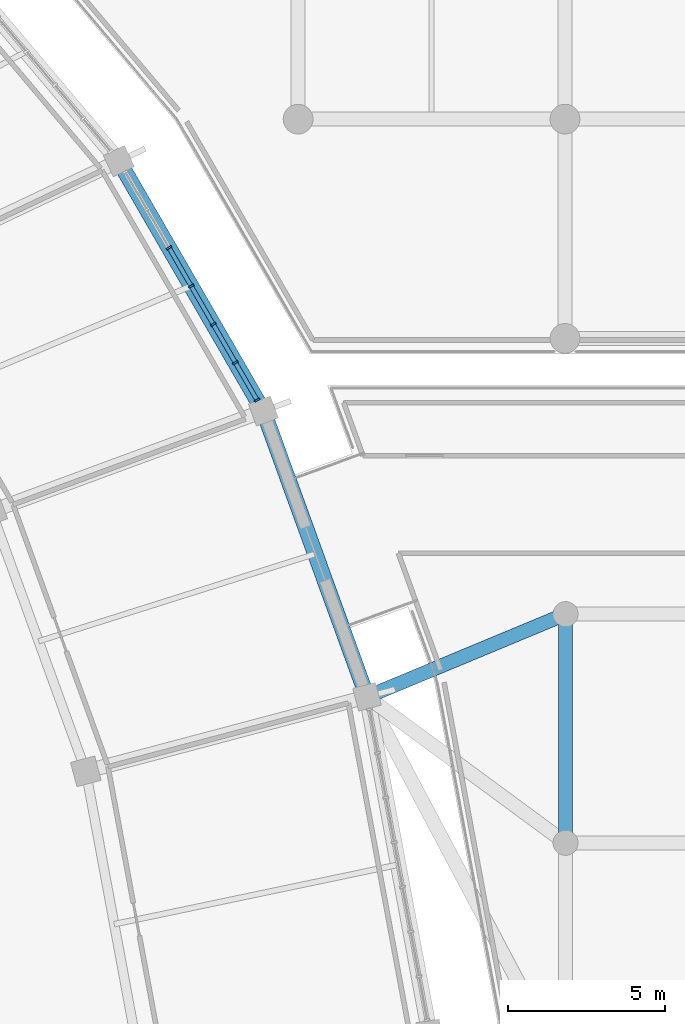
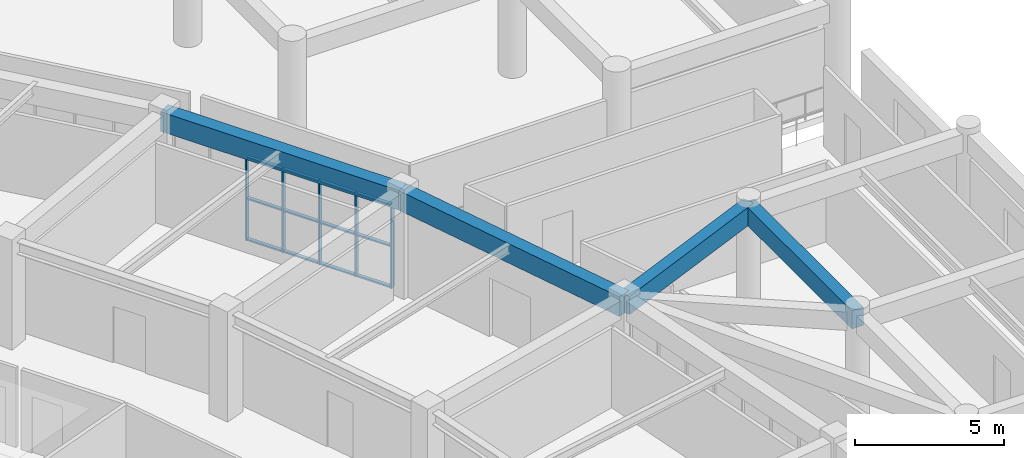
# One storey, part 47 of 141: 17 members, 4 beams, 1 element without a shape of its own.
"""IFC4 building model written with IfcOpenShell, lengths in metres."""

import ifcopenshell
import ifcopenshell.guid

model = None  # the IFC model being written
_history = None  # IfcOwnerHistory: only IFC2X3 demands one
_inside = {}  # id of a spatial element -> (the spatial element, [elements in it])
_under = {}  # id of a project, library or spatial element -> (it, [spatial elements below it])
_declared = {}  # id of a project -> (the project, [libraries it declares])
_typed = {}  # id of a type object -> (the type object, [elements of that type])
_made_of = {}  # id of a material, layer set ... -> (it, [elements and type objects made of it])


def new_model(schema):
    """Start an empty IFC model of exactly this schema.

    Asked for "IFC4X3", IfcOpenShell would pick the latest addendum, in which some entities
    have other attributes; the version numbers below select the first issue.
    IFC2X3 requires an IfcOwnerHistory on every rooted entity: one is made here for all.
    """
    global model, _history
    if schema == "IFC4X3":
        model = ifcopenshell.file(schema_version=(4, 3, 0, 0))
    else:
        model = ifcopenshell.file(schema=schema)
    _inside.clear()
    _under.clear()
    _declared.clear()
    _typed.clear()
    _made_of.clear()
    _history = None
    if model.schema == "IFC2X3":
        org = make("IfcOrganization", Name="unknown")
        user = make(
            "IfcPersonAndOrganization",
            ThePerson=make("IfcPerson", FamilyName="unknown"),
            TheOrganization=org,
        )
        app = make(
            "IfcApplication",
            ApplicationDeveloper=org,
            Version="unknown",
            ApplicationFullName="unknown",
            ApplicationIdentifier="unknown",
        )
        _history = make(
            "IfcOwnerHistory",
            OwningUser=user,
            OwningApplication=app,
            ChangeAction="ADDED",
            CreationDate=0,
        )
    return model


def make(cls, **values):
    """One entity of the class cls with the attributes given. An attribute that is None is left unset."""
    return model.create_entity(
        cls, **{name: value for name, value in values.items() if value is not None}
    )


def rooted(cls, **values):
    """An entity with a GlobalId (a new one), such as an element, a storey or a relation."""
    return make(cls, GlobalId=ifcopenshell.guid.new(), OwnerHistory=_history, **values)


def si_unit(unit_type, name, prefix=None):
    """IfcSIUnit, for example si_unit("LENGTHUNIT", "METRE", prefix="MILLI")."""
    return make("IfcSIUnit", UnitType=unit_type, Prefix=prefix, Name=name)


def assignment(units):
    """IfcUnitAssignment: the units of a project."""
    return None if units is None else make("IfcUnitAssignment", Units=units)


def point(xyz):
    """IfcCartesianPoint."""
    return None if xyz is None else make("IfcCartesianPoint", Coordinates=xyz)


def direction(xyz):
    """IfcDirection."""
    return None if xyz is None else make("IfcDirection", DirectionRatios=xyz)


def frame(location, z_axis=None, x_axis=None):
    """IfcAxis2Placement3D, a coordinate frame: its origin and axes. An axis left out is left unset."""
    return make(
        "IfcAxis2Placement3D",
        Location=point(location),
        Axis=direction(z_axis),
        RefDirection=direction(x_axis),
    )


def frame_2d(location, x_axis=None):
    """IfcAxis2Placement2D, a coordinate frame in the plane: its origin and x axis."""
    return make(
        "IfcAxis2Placement2D", Location=point(location), RefDirection=direction(x_axis)
    )


def origin():
    """The frame at (0, 0, 0) with its axes left unset."""
    return frame((0.0, 0.0, 0.0))


def origin_2d():
    """The frame at (0, 0) in the plane with its x axis left unset."""
    return frame_2d((0.0, 0.0))


def place(relative_to, where):
    """IfcLocalPlacement: puts the frame where relative to a parent placement (None: the world)."""
    return make(
        "IfcLocalPlacement", PlacementRelTo=relative_to, RelativePlacement=where
    )


def context(
    kind, dimensions, precision=None, world=None, true_north=None, identifier=None
):
    """IfcGeometricRepresentationContext, for example the 3D "Model" context."""
    return make(
        "IfcGeometricRepresentationContext",
        ContextIdentifier=identifier,
        ContextType=kind,
        CoordinateSpaceDimension=dimensions,
        Precision=precision,
        WorldCoordinateSystem=world,
        TrueNorth=true_north,
    )


def subcontext(parent, identifier, kind, view, scale=None):
    """IfcGeometricRepresentationSubContext, for example "Body" below "Model"."""
    return make(
        "IfcGeometricRepresentationSubContext",
        ContextIdentifier=identifier,
        ContextType=kind,
        ParentContext=parent,
        TargetScale=scale,
        TargetView=view,
    )


def project(units=None, contexts=None):
    """IfcProject with its units and contexts."""
    return rooted(
        "IfcProject",
        Name="project",
        RepresentationContexts=contexts,
        UnitsInContext=assignment(units),
    )


def spatial(cls, under=None, at=None, **own):
    """A site, building, storey or space (cls), placed at a placement, below another one or the project."""
    s = rooted(cls, ObjectPlacement=at, **own)
    if under is not None:
        _under.setdefault(under.id(), (under, []))[1].append(s)
    return s


def profile(cls, at=None, kind="AREA", **sizes):
    """A parametric profile (cls). Its sizes go by their IFC names, for example OverallWidth=200.0."""
    return make(cls, ProfileType=kind, Position=at, **sizes)


def rectangle(**sizes):
    """IfcRectangleProfileDef."""
    return profile("IfcRectangleProfileDef", **sizes)


def extrude(swept, where, along, depth):
    """IfcExtrudedAreaSolid: the profile swept, set in the frame where, extruded along a direction by depth."""
    return make(
        "IfcExtrudedAreaSolid",
        SweptArea=swept,
        Position=where,
        ExtrudedDirection=direction(along),
        Depth=depth,
    )


def shape(context_of_items, identifier, shape_type, items):
    """IfcShapeRepresentation: the items that make up one representation, for example the "Body"."""
    return make(
        "IfcShapeRepresentation",
        ContextOfItems=context_of_items,
        RepresentationIdentifier=identifier,
        RepresentationType=shape_type,
        Items=items,
    )


def material(Name=None, Category=None):
    """IfcMaterial."""
    return make("IfcMaterial", Name=Name, Category=Category)


def layer(
    of_material, thickness, ventilated=None, Name=None, Category=None, Priority=None
):
    """IfcMaterialLayer: one layer of a wall or slab, of a material (None: an air gap)."""
    return make(
        "IfcMaterialLayer",
        Material=of_material,
        LayerThickness=thickness,
        IsVentilated=ventilated,
        Name=Name,
        Category=Category,
        Priority=Priority,
    )


def layer_set(layers, Name=None):
    """IfcMaterialLayerSet."""
    return make("IfcMaterialLayerSet", MaterialLayers=layers, LayerSetName=Name)


def material_profile(
    of_material, cross_section, Name=None, Category=None, Priority=None
):
    """IfcMaterialProfile: a cross section and its material."""
    return make(
        "IfcMaterialProfile",
        Name=Name,
        Material=of_material,
        Profile=cross_section,
        Priority=Priority,
        Category=Category,
    )


def profile_set(profiles, Name=None, composite=None):
    """IfcMaterialProfileSet."""
    return make(
        "IfcMaterialProfileSet",
        Name=Name,
        MaterialProfiles=profiles,
        CompositeProfile=composite,
    )


def made_of(thing, what):
    """Note that an element or type object is made of a material, layer set ...; save() writes the relation."""
    if what is not None:
        _made_of.setdefault(what.id(), (what, []))[1].append(thing)
    return thing


def type_object(cls, material=None, **own):
    """A type object (cls), such as IfcWallType, which elements share."""
    return made_of(rooted(cls, **own), material)


def element(
    cls,
    number,
    at=None,
    inside=None,
    cuts=None,
    type_object=None,
    material=None,
    context=None,
    identifier="Body",
    shape_type=None,
    held_by="IfcProductDefinitionShape",
    body=None,
    shapes=None,
    **own,
):
    """One element of the class cls, such as IfcWall. Its Tag is "e" and its number.

    at: its placement. inside: the storey or other place that contains it. cuts: it is an
    opening in that element (IfcRelVoidsElement). A single representation is given by context,
    identifier, shape_type and body (its items); several are given by shapes. held_by: the class
    of the entity that holds the representations. save() writes the other relations.
    """
    e = rooted(cls, Tag="e%d" % number, ObjectPlacement=at, **own)
    if body is not None:
        shapes = [shape(context, identifier, shape_type, body)]
    if shapes is not None:
        e.Representation = make(held_by, Representations=shapes)
    if inside is not None:
        _inside.setdefault(inside.id(), (inside, []))[1].append(e)
    if cuts is not None:
        rooted(
            "IfcRelVoidsElement", RelatingBuildingElement=cuts, RelatedOpeningElement=e
        )
    if type_object is not None:
        _typed.setdefault(type_object.id(), (type_object, []))[1].append(e)
    return made_of(e, material)


def aggregate(whole, parts):
    """IfcRelAggregates: a whole, such as a stair, and the parts it consists of."""
    return rooted("IfcRelAggregates", RelatingObject=whole, RelatedObjects=parts)


def save(model, path):
    """Write the relations noted so far, then the file.

    IfcRelAggregates (storeys below a building ...), IfcRelContainedInSpatialStructure (elements
    in a storey), IfcRelDefinesByType, IfcRelAssociatesMaterial and IfcRelDeclares: one each for
    every whole, place, type object, material and project.
    """
    for whole, parts in _under.values():
        aggregate(whole, parts)
    for where, things in _inside.values():
        rooted(
            "IfcRelContainedInSpatialStructure",
            RelatedElements=things,
            RelatingStructure=where,
        )
    for kind, things in _typed.values():
        rooted("IfcRelDefinesByType", RelatedObjects=things, RelatingType=kind)
    for what, things in _made_of.values():
        rooted("IfcRelAssociatesMaterial", RelatedObjects=things, RelatingMaterial=what)
    for by, libraries in _declared.values():
        rooted("IfcRelDeclares", RelatingContext=by, RelatedDefinitions=libraries)
    model.write(path)


model = new_model("IFC4")

# Units and contexts
model_context = context("Model", 3, precision=1e-05, world=origin(), true_north=direction((0.0, 1.0)))
body_context = subcontext(model_context, "Body", "Model", "MODEL_VIEW")
ifc_project = project(units=[si_unit("LENGTHUNIT", "METRE"), si_unit("AREAUNIT", "SQUARE_METRE"), si_unit("VOLUMEUNIT", "CUBIC_METRE"), si_unit("PLANEANGLEUNIT", "RADIAN"), si_unit("MASSUNIT", "GRAM", prefix="KILO")], contexts=[model_context])

# Site, building, storey
site_placement = place(None, origin())
site = spatial("IfcSite", under=ifc_project, at=site_placement, CompositionType="ELEMENT")
building_placement = place(site_placement, origin())
building = spatial("IfcBuilding", under=site, at=building_placement, Name="Mphavela Belvedere Stadium", CompositionType="ELEMENT")
storey_placement = place(building_placement, frame((0.0, 0.0, 14.699951171875)))
storey = spatial("IfcBuildingStorey", under=building, at=storey_placement, Name="L03", CompositionType="ELEMENT", Elevation=14.699951171875)

# Beams
ifc_material_1 = material(Name="Concrete C40/50", Category="concrete")
ifc_material_profile_1 = material_profile(ifc_material_1, rectangle(XDim=0.449951171875, YDim=0.75, at=origin_2d()), Name="RC 450x750")
ifc_profile_set_1 = profile_set([ifc_material_profile_1], Name="Concrete C40/50")
beam_type_1 = type_object("IfcBeamType", Name="BM-RC450x750", PredefinedType="BEAM", material=ifc_profile_set_1)
beam_1_placement = place(storey_placement, frame((221.5, 108.89990234375, 3.864990234375), z_axis=(0.0, 1.0, 0.0), x_axis=(-1.0, 0.0, 0.0)))
element("IfcBeam", 1, at=beam_1_placement, inside=storey, type_object=beam_type_1, Name="East Planted Eaves Peristyle Colonnade entablature beam Y L03 8-9", PredefinedType="BEAM", context=body_context, shape_type="SweptSolid", body=[
    extrude(rectangle(XDim=0.449951171875, YDim=0.75, at=origin_2d()), origin(), (0.0, 0.0, 1.0), 7.300048828125),
])
beam_2_placement = place(storey_placement, frame((221.5, 116.199951171875, 3.864990234375), z_axis=(-0.923196868172, -0.38432738986, 0.0), x_axis=(0.38432738986, -0.923196868172, 0.0)))
element("IfcBeam", 2, at=beam_2_placement, inside=storey, type_object=beam_type_1, Name="East Planted Eaves Peristyle Colonnade bowl link girder L03-6", PredefinedType="BEAM", context=body_context, shape_type="SweptSolid", body=[
    extrude(rectangle(XDim=0.449951171875, YDim=0.75, at=origin_2d()), origin(), (0.0, 0.0, 1.0), 6.862548828125),
])
ifc_material_2 = material(Name="Concrete C40/50", Category="concrete")
ifc_material_profile_2 = material_profile(ifc_material_2, rectangle(XDim=0.5, YDim=0.800048828125, at=origin_2d()), Name="RC 500x800")
ifc_profile_set_2 = profile_set([ifc_material_profile_2], Name="Concrete C40/50")
beam_type_2 = type_object("IfcBeamType", Name="BM-SPANDREL-800", PredefinedType="SPANDREL", material=ifc_profile_set_2)
beam_3_placement = place(storey_placement, frame((215.16455078125, 113.5625, 3.85009765625), z_axis=(-0.341017570596, 0.94005692197, 0.0), x_axis=(-0.94005692197, -0.341017570596, 0.0)))
element("IfcBeam", 3, at=beam_3_placement, inside=storey, type_object=beam_type_2, Name="Circumferential girder L03 R4-03", PredefinedType="SPANDREL", context=body_context, shape_type="SweptSolid", body=[
    extrude(rectangle(XDim=0.5, YDim=0.800048828125, at=origin_2d()), origin(), (0.0, 0.0, 1.0), 9.701416015625),
])
beam_4_placement = place(storey_placement, frame((211.856201171875, 122.682373046875, 3.85009765625), z_axis=(-0.500565297122, 0.865698783248, 0.0), x_axis=(-0.865698783248, -0.500565297122, 0.0)))
element("IfcBeam", 4, at=beam_4_placement, inside=storey, type_object=beam_type_2, Name="Circumferential girder L03 R4-04", PredefinedType="SPANDREL", context=body_context, shape_type="SweptSolid", body=[
    extrude(rectangle(XDim=0.5, YDim=0.800048828125, at=origin_2d()), origin(), (0.0, 0.0, 1.0), 9.217041015625),
])

# Curtain wall, members
ifc_material_3 = material(Name="Anodised bronze unitised curtain wall framing")
ifc_layer = layer(ifc_material_3, 0.18994140625)
ifc_layer_set = layer_set([ifc_layer], Name="Anodised bronze unitised curtain wall framing")
curtain_wall_type = type_object("IfcCurtainWallType", Name="CW-UNIT-03", PredefinedType="USERDEFINED", material=ifc_layer_set)
curtain_wall_placement = place(storey_placement, origin())
curtain_wall = element("IfcCurtainWall", 5, at=curtain_wall_placement, inside=storey, type_object=curtain_wall_type, Name="Belvedere colonnade curtain wall L03-04", ObjectType="UNITISED CURTAIN WALL", PredefinedType="USERDEFINED")
ifc_material_4 = material(Name="Anodised bronze extruded aluminium", Category="aluminium")
ifc_material_profile_3 = material_profile(ifc_material_4, rectangle(XDim=0.179931640625, YDim=0.06494140625, at=origin_2d()), Name="CW-MUL 180x65")
ifc_profile_set_3 = profile_set([ifc_material_profile_3], Name="Anodised bronze extruded aluminium")
member_type_1 = type_object("IfcMemberType", Name="CWM-180x65", PredefinedType="MULLION", material=ifc_profile_set_3)
member_1_placement = place(storey_placement, frame((211.653076171875, 123.033447265625, 0.0), z_axis=(0.0, 0.0, 1.0), x_axis=(-0.865705257789, -0.50055409961, 0.0)))
member_1 = element("IfcMember", 6, at=member_1_placement, type_object=member_type_1, Name="CW-03 mullion 1", PredefinedType="MULLION", context=body_context, shape_type="SweptSolid", body=[
    extrude(rectangle(XDim=0.179931640625, YDim=0.06494140625, at=origin_2d()), origin(), (0.0, 0.0, 1.0), 3.420166015625),
])
member_2_placement = place(storey_placement, frame((210.962646484375, 124.2275390625, 0.0), z_axis=(0.0, 0.0, 1.0), x_axis=(-0.865705257789, -0.50055409961, 0.0)))
member_2 = element("IfcMember", 7, at=member_2_placement, type_object=member_type_1, Name="CW-03 mullion 2", PredefinedType="MULLION", context=body_context, shape_type="SweptSolid", body=[
    extrude(rectangle(XDim=0.179931640625, YDim=0.06494140625, at=origin_2d()), origin(), (0.0, 0.0, 1.0), 3.420166015625),
])
member_3_placement = place(storey_placement, frame((210.256103515625, 125.44970703125, 0.0), z_axis=(0.0, 0.0, 1.0), x_axis=(-0.865705257789, -0.50055409961, 0.0)))
member_3 = element("IfcMember", 8, at=member_3_placement, type_object=member_type_1, Name="CW-03 mullion 3", PredefinedType="MULLION", context=body_context, shape_type="SweptSolid", body=[
    extrude(rectangle(XDim=0.179931640625, YDim=0.06494140625, at=origin_2d()), origin(), (0.0, 0.0, 1.0), 3.420166015625),
])
member_4_placement = place(storey_placement, frame((209.54931640625, 126.671875, 0.0), z_axis=(0.0, 0.0, 1.0), x_axis=(-0.865705257789, -0.50055409961, 0.0)))
member_4 = element("IfcMember", 9, at=member_4_placement, type_object=member_type_1, Name="CW-03 mullion 4", PredefinedType="MULLION", context=body_context, shape_type="SweptSolid", body=[
    extrude(rectangle(XDim=0.179931640625, YDim=0.06494140625, at=origin_2d()), origin(), (0.0, 0.0, 1.0), 3.420166015625),
])
member_5_placement = place(storey_placement, frame((208.842529296875, 127.89404296875, 0.0), z_axis=(0.0, 0.0, 1.0), x_axis=(-0.865705257789, -0.50055409961, 0.0)))
member_5 = element("IfcMember", 10, at=member_5_placement, type_object=member_type_1, Name="CW-03 mullion 5", PredefinedType="MULLION", context=body_context, shape_type="SweptSolid", body=[
    extrude(rectangle(XDim=0.179931640625, YDim=0.06494140625, at=origin_2d()), origin(), (0.0, 0.0, 1.0), 3.420166015625),
])
ifc_material_5 = material(Name="Anodised bronze extruded aluminium", Category="aluminium")
ifc_material_profile_4 = material_profile(ifc_material_5, rectangle(XDim=0.139892578125, YDim=0.06005859375, at=origin_2d()), Name="CW-TRN 140x60")
ifc_profile_set_4 = profile_set([ifc_material_profile_4], Name="Anodised bronze extruded aluminium")
member_type_2 = type_object("IfcMemberType", Name="CWT-140x60", PredefinedType="USERDEFINED", material=ifc_profile_set_4)
member_6_placement = place(storey_placement, frame((211.636962890625, 123.0615234375, 0.030029296875), z_axis=(-0.500633471094, 0.865659360037, 0.0), x_axis=(-0.865659360037, -0.500633471094, 0.0)))
member_6 = element("IfcMember", 11, at=member_6_placement, type_object=member_type_2, Name="CW-03 transom 1.1", ObjectType="TRANSOM", PredefinedType="USERDEFINED", context=body_context, shape_type="SweptSolid", body=[
    extrude(rectangle(XDim=0.139892578125, YDim=0.06005859375, at=origin_2d()), origin(), (0.0, 0.0, 1.0), 1.314208984375),
])
member_7_placement = place(storey_placement, frame((211.636962890625, 123.0615234375, 1.7099609375), z_axis=(-0.500633471094, 0.865659360037, 0.0), x_axis=(-0.865659360037, -0.500633471094, 0.0)))
member_7 = element("IfcMember", 12, at=member_7_placement, type_object=member_type_2, Name="CW-03 transom 1.2", ObjectType="TRANSOM", PredefinedType="USERDEFINED", context=body_context, shape_type="SweptSolid", body=[
    extrude(rectangle(XDim=0.139892578125, YDim=0.06005859375, at=origin_2d()), origin(), (0.0, 0.0, 1.0), 1.314208984375),
])
member_8_placement = place(storey_placement, frame((211.636962890625, 123.0615234375, 3.39013671875), z_axis=(-0.500633471094, 0.865659360037, 0.0), x_axis=(-0.865659360037, -0.500633471094, 0.0)))
member_8 = element("IfcMember", 13, at=member_8_placement, type_object=member_type_2, Name="CW-03 transom 1.3", ObjectType="TRANSOM", PredefinedType="USERDEFINED", context=body_context, shape_type="SweptSolid", body=[
    extrude(rectangle(XDim=0.139892578125, YDim=0.06005859375, at=origin_2d()), origin(), (0.0, 0.0, 1.0), 1.314208984375),
])
member_9_placement = place(storey_placement, frame((210.946533203125, 124.255615234375, 0.030029296875), z_axis=(-0.500621812239, 0.865666102554, 0.0), x_axis=(-0.865666102554, -0.500621812239, 0.0)))
member_9 = element("IfcMember", 14, at=member_9_placement, type_object=member_type_2, Name="CW-03 transom 2.1", ObjectType="TRANSOM", PredefinedType="USERDEFINED", context=body_context, shape_type="SweptSolid", body=[
    extrude(rectangle(XDim=0.139892578125, YDim=0.06005859375, at=origin_2d()), origin(), (0.0, 0.0, 1.0), 1.346923828125),
])
member_10_placement = place(storey_placement, frame((210.946533203125, 124.255615234375, 1.7099609375), z_axis=(-0.500621812239, 0.865666102554, 0.0), x_axis=(-0.865666102554, -0.500621812239, 0.0)))
member_10 = element("IfcMember", 15, at=member_10_placement, type_object=member_type_2, Name="CW-03 transom 2.2", ObjectType="TRANSOM", PredefinedType="USERDEFINED", context=body_context, shape_type="SweptSolid", body=[
    extrude(rectangle(XDim=0.139892578125, YDim=0.06005859375, at=origin_2d()), origin(), (0.0, 0.0, 1.0), 1.346923828125),
])
member_11_placement = place(storey_placement, frame((210.946533203125, 124.255615234375, 3.39013671875), z_axis=(-0.500621812239, 0.865666102554, 0.0), x_axis=(-0.865666102554, -0.500621812239, 0.0)))
member_11 = element("IfcMember", 16, at=member_11_placement, type_object=member_type_2, Name="CW-03 transom 2.3", ObjectType="TRANSOM", PredefinedType="USERDEFINED", context=body_context, shape_type="SweptSolid", body=[
    extrude(rectangle(XDim=0.139892578125, YDim=0.06005859375, at=origin_2d()), origin(), (0.0, 0.0, 1.0), 1.346923828125),
])
member_12_placement = place(storey_placement, frame((210.23974609375, 125.477783203125, 0.030029296875), z_axis=(-0.500485966498, 0.865744649038, 0.0), x_axis=(-0.865744649038, -0.500485966498, 0.0)))
member_12 = element("IfcMember", 17, at=member_12_placement, type_object=member_type_2, Name="CW-03 transom 3.1", ObjectType="TRANSOM", PredefinedType="USERDEFINED", context=body_context, shape_type="SweptSolid", body=[
    extrude(rectangle(XDim=0.139892578125, YDim=0.06005859375, at=origin_2d()), origin(), (0.0, 0.0, 1.0), 1.346923828125),
])
member_13_placement = place(storey_placement, frame((210.23974609375, 125.477783203125, 1.7099609375), z_axis=(-0.500485966498, 0.865744649038, 0.0), x_axis=(-0.865744649038, -0.500485966498, 0.0)))
member_13 = element("IfcMember", 18, at=member_13_placement, type_object=member_type_2, Name="CW-03 transom 3.2", ObjectType="TRANSOM", PredefinedType="USERDEFINED", context=body_context, shape_type="SweptSolid", body=[
    extrude(rectangle(XDim=0.139892578125, YDim=0.06005859375, at=origin_2d()), origin(), (0.0, 0.0, 1.0), 1.346923828125),
])
member_14_placement = place(storey_placement, frame((210.23974609375, 125.477783203125, 3.39013671875), z_axis=(-0.500485966498, 0.865744649038, 0.0), x_axis=(-0.865744649038, -0.500485966498, 0.0)))
member_14 = element("IfcMember", 19, at=member_14_placement, type_object=member_type_2, Name="CW-03 transom 3.3", ObjectType="TRANSOM", PredefinedType="USERDEFINED", context=body_context, shape_type="SweptSolid", body=[
    extrude(rectangle(XDim=0.139892578125, YDim=0.06005859375, at=origin_2d()), origin(), (0.0, 0.0, 1.0), 1.346923828125),
])
member_15_placement = place(storey_placement, frame((209.532958984375, 126.699951171875, 0.030029296875), z_axis=(-0.500485966498, 0.865744649038, 0.0), x_axis=(-0.865744649038, -0.500485966498, 0.0)))
member_15 = element("IfcMember", 20, at=member_15_placement, type_object=member_type_2, Name="CW-03 transom 4.1", ObjectType="TRANSOM", PredefinedType="USERDEFINED", context=body_context, shape_type="SweptSolid", body=[
    extrude(rectangle(XDim=0.139892578125, YDim=0.06005859375, at=origin_2d()), origin(), (0.0, 0.0, 1.0), 1.346923828125),
])
member_16_placement = place(storey_placement, frame((209.532958984375, 126.699951171875, 1.7099609375), z_axis=(-0.500485966498, 0.865744649038, 0.0), x_axis=(-0.865744649038, -0.500485966498, 0.0)))
member_16 = element("IfcMember", 21, at=member_16_placement, type_object=member_type_2, Name="CW-03 transom 4.2", ObjectType="TRANSOM", PredefinedType="USERDEFINED", context=body_context, shape_type="SweptSolid", body=[
    extrude(rectangle(XDim=0.139892578125, YDim=0.06005859375, at=origin_2d()), origin(), (0.0, 0.0, 1.0), 1.346923828125),
])
member_17_placement = place(storey_placement, frame((209.532958984375, 126.699951171875, 3.39013671875), z_axis=(-0.500485966498, 0.865744649038, 0.0), x_axis=(-0.865744649038, -0.500485966498, 0.0)))
member_17 = element("IfcMember", 22, at=member_17_placement, type_object=member_type_2, Name="CW-03 transom 4.3", ObjectType="TRANSOM", PredefinedType="USERDEFINED", context=body_context, shape_type="SweptSolid", body=[
    extrude(rectangle(XDim=0.139892578125, YDim=0.06005859375, at=origin_2d()), origin(), (0.0, 0.0, 1.0), 1.346923828125),
])
aggregate(curtain_wall, [member_1, member_2, member_3, member_4, member_5, member_6, member_7, member_8, member_9, member_10, member_11, member_12, member_13, member_14, member_15, member_16, member_17])

save(model, "model.ifc")
